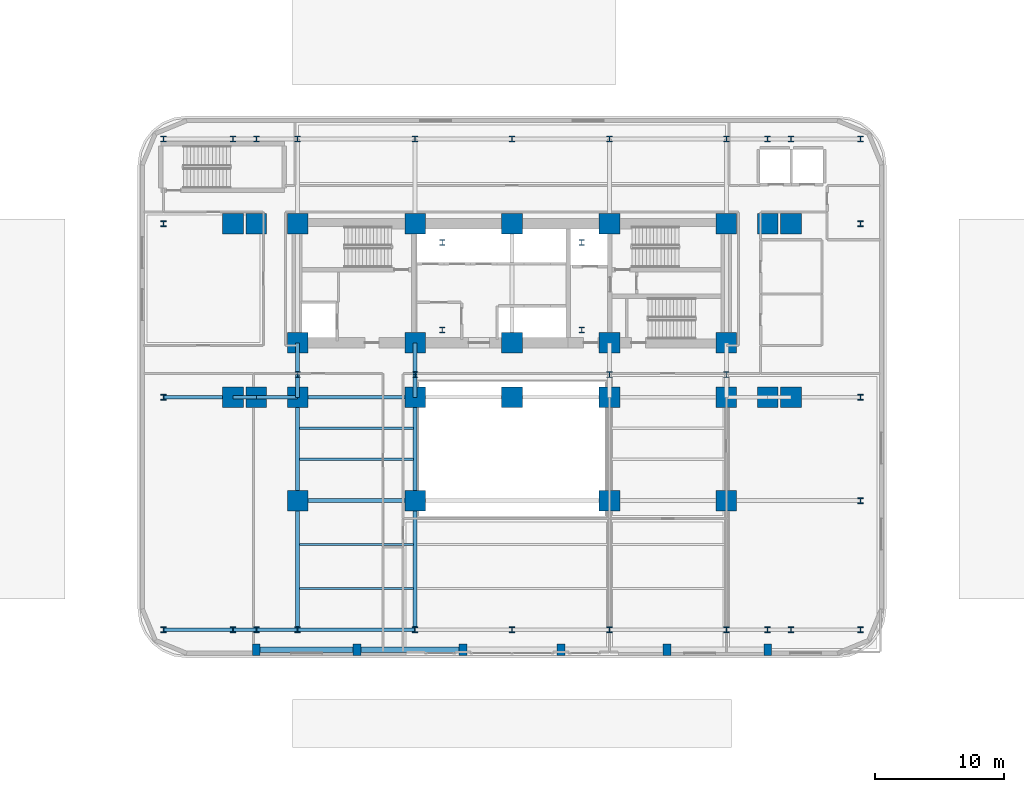
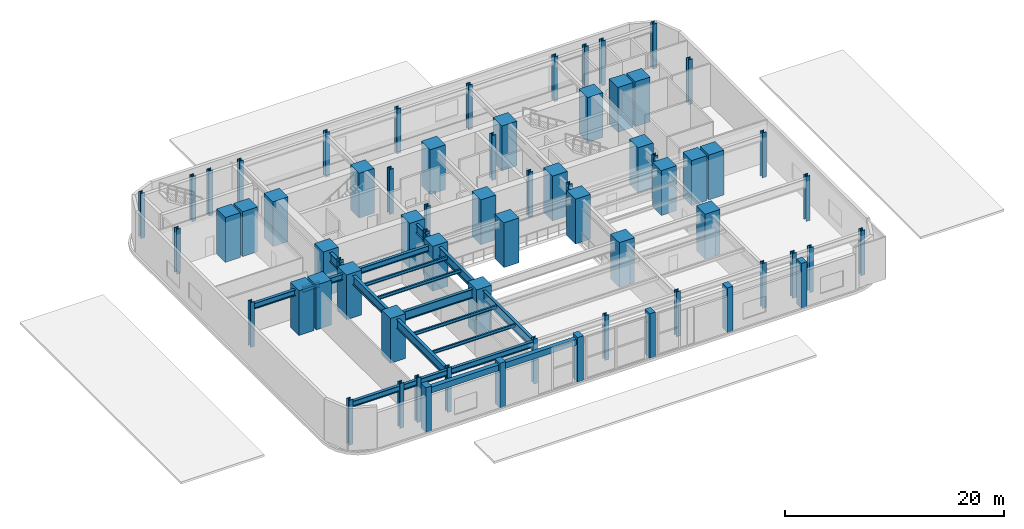
# One storey, part 1 of 12: 68 columns, 23 beams.
"""IFC4 building model written with IfcOpenShell, lengths in metres."""

from ifc_helpers import new_model, si_unit, direction, frame, origin, origin_2d, place, context, subcontext, project, spatial, rectangle, i_section, extrude, material, material_profile, profile_set, type_object, element, save


model = new_model("IFC4")

# Units and contexts
model_context = context("Model", 3, precision=1e-05, world=origin(), true_north=direction((0.0, 1.0)))
body_context = subcontext(model_context, "Body", "Model", "MODEL_VIEW")
ifc_project = project(units=[si_unit("LENGTHUNIT", "METRE"), si_unit("AREAUNIT", "SQUARE_METRE"), si_unit("VOLUMEUNIT", "CUBIC_METRE"), si_unit("PLANEANGLEUNIT", "RADIAN"), si_unit("MASSUNIT", "GRAM", prefix="KILO")], contexts=[model_context])

# Site, building, storey
site_placement = place(None, origin())
site = spatial("IfcSite", under=ifc_project, at=site_placement, CompositionType="ELEMENT")
building_placement = place(site_placement, origin())
building = spatial("IfcBuilding", under=site, at=building_placement, Name="Zarnavel Station Tower", CompositionType="ELEMENT")
storey_placement = place(building_placement, frame((0.0, 0.0, 5.39990234375)))
storey = spatial("IfcBuildingStorey", under=building, at=storey_placement, Name="L02", CompositionType="ELEMENT", Elevation=5.39990234375)

# Columns
ifc_material_1 = material(Name="Steel S460M", Category="steel")
ifc_material_profile_1 = material_profile(ifc_material_1, i_section(OverallWidth=0.424072265625, OverallDepth=0.449951171875, WebThickness=0.041015625, FlangeThickness=0.06494140625, FilletRadius=0.014892578125, at=origin_2d()), Name="HD400x509")
ifc_profile_set_1 = profile_set([ifc_material_profile_1], Name="Steel S460M")
column_type_1 = type_object("IfcColumnType", Name="EC_HD509", PredefinedType="COLUMN", material=ifc_profile_set_1)
for number, where, z_axis, x_axis, name in (
    (1, (1.800048828125, 5.60009765625, 0.0), (0.0, 0.0, 1.0), (1.0, 0.0, 0.0), "L02 Perimeter Column 1-1"),
    (2, (1.800048828125, 23.60009765625, 0.0), (0.0, 0.0, 1.0), (1.0, 0.0, 0.0), "L02 Perimeter Column 1-3"),
    (3, (1.800048828125, 37.050048828125, 0.0), (0.0, 0.0, 1.0), (1.0, 0.0, 0.0), "L02 Perimeter Column 1-4"),
    (4, (1.800048828125, 43.60009765625, 0.0), (0.0, 0.0, 1.0), (1.0, 0.0, 0.0), "L02 Perimeter Column 1-5"),
    (5, (7.199951171875, 5.60009765625, 0.0), (0.0, 0.0, 1.0), (1.0, 0.0, 0.0), "L02 Perimeter Column 2-1"),
    (6, (7.199951171875, 43.60009765625, 0.0), (0.0, 0.0, 1.0), (1.0, 0.0, 0.0), "L02 Perimeter Column 2-5"),
    (7, (9.0, 5.60009765625, 0.0), (0.0, 0.0, 1.0), (1.0, 0.0, 0.0), "L02 Perimeter Column 3-1"),
    (8, (9.0, 43.60009765625, 0.0), (0.0, 0.0, 1.0), (1.0, 0.0, 0.0), "L02 Perimeter Column 3-5"),
    (9, (12.199951171875, 5.60009765625, 0.0), (0.0, 0.0, 1.0), (1.0, 0.0, 0.0), "L02 Perimeter Column 4-1"),
    (10, (12.199951171875, 43.60009765625, 0.0), (0.0, 0.0, 1.0), (1.0, 0.0, 0.0), "L02 Perimeter Column 4-5"),
    (11, (21.300048828125, 5.60009765625, 0.0), (0.0, 0.0, 1.0), (1.0, 0.0, 0.0), "L02 Perimeter Column 5-1"),
    (12, (21.300048828125, 43.60009765625, 0.0), (0.0, 0.0, 1.0), (1.0, 0.0, 0.0), "L02 Perimeter Column 5-5"),
    (13, (28.800048828125, 5.60009765625, 0.0), (0.0, 0.0, 1.0), (1.0, 0.0, 0.0), "L02 Perimeter Column 6-1"),
    (14, (28.800048828125, 43.60009765625, 0.0), (0.0, 0.0, 1.0), (1.0, 0.0, 0.0), "L02 Perimeter Column 6-5"),
    (15, (36.35009765625, 5.60009765625, 0.0), (0.0, 0.0, 1.0), (1.0, 0.0, 0.0), "L02 Perimeter Column 7-1"),
    (16, (36.35009765625, 43.60009765625, 0.0), (0.0, 0.0, 1.0), (1.0, 0.0, 0.0), "L02 Perimeter Column 7-5"),
    (17, (45.39990234375, 5.60009765625, 0.0), (0.0, 0.0, 1.0), (1.0, 0.0, 0.0), "L02 Perimeter Column 8-1"),
    (18, (45.39990234375, 43.60009765625, 0.0), (0.0, 0.0, 1.0), (1.0, 0.0, 0.0), "L02 Perimeter Column 8-5"),
    (19, (48.60009765625, 5.60009765625, 0.0), (0.0, 0.0, 1.0), (1.0, 0.0, 0.0), "L02 Perimeter Column 9-1"),
    (20, (48.60009765625, 43.60009765625, 0.0), (0.0, 0.0, 1.0), (1.0, 0.0, 0.0), "L02 Perimeter Column 9-5"),
    (21, (50.39990234375, 5.60009765625, 0.0), (0.0, 0.0, 1.0), (1.0, 0.0, 0.0), "L02 Perimeter Column 10-1"),
    (22, (50.39990234375, 43.60009765625, 0.0), (0.0, 0.0, 1.0), (1.0, 0.0, 0.0), "L02 Perimeter Column 10-5"),
    (23, (55.800048828125, 5.60009765625, 0.0), (0.0, 0.0, 1.0), (1.0, 0.0, 0.0), "L02 Perimeter Column 11-1"),
    (24, (55.800048828125, 15.60009765625, 0.0), (0.0, 0.0, 1.0), (1.0, 0.0, 0.0), "L02 Perimeter Column 11-2"),
    (25, (55.800048828125, 23.60009765625, 0.0), (0.0, 0.0, 1.0), (1.0, 0.0, 0.0), "L02 Perimeter Column 11-3"),
    (26, (55.800048828125, 37.050048828125, 0.0), (0.0, 0.0, 1.0), (1.0, 0.0, 0.0), "L02 Perimeter Column 11-4"),
    (27, (55.800048828125, 43.60009765625, 0.0), (0.0, 0.0, 1.0), (1.0, 0.0, 0.0), "L02 Perimeter Column 11-5"),
):
    element("IfcColumn", number, at=place(storey_placement, frame(where, z_axis=z_axis, x_axis=x_axis)), inside=storey, type_object=column_type_1, Name=name, PredefinedType="COLUMN", context=body_context, shape_type="SweptSolid", body=[
        extrude(i_section(OverallWidth=0.424072265625, OverallDepth=0.449951171875, WebThickness=0.041015625, FlangeThickness=0.06494140625, FilletRadius=0.014892578125, at=origin_2d()), origin(), (0.0, 0.0, 1.0), 5.0),
    ])
ifc_material_2 = material(Name="Steel S460M", Category="steel")
ifc_material_profile_2 = material_profile(ifc_material_2, i_section(OverallWidth=0.427978515625, OverallDepth=0.465087890625, WebThickness=0.044921875, FlangeThickness=0.072998046875, FilletRadius=0.014892578125, at=origin_2d()), Name="HD400x592")
ifc_profile_set_2 = profile_set([ifc_material_profile_2], Name="Steel S460M")
column_type_2 = type_object("IfcColumnType", Name="IC_HD592", PredefinedType="COLUMN", material=ifc_profile_set_2)
for number, where, z_axis, x_axis, name in (
    (28, (23.39990234375, 28.800048828125, 0.0), (0.0, 0.0, 1.0), (1.0, 0.0, 0.0), "L02 Mast Spine Column 1"),
    (29, (34.199951171875, 28.800048828125, 0.0), (0.0, 0.0, 1.0), (1.0, 0.0, 0.0), "L02 Mast Spine Column 2"),
    (30, (34.199951171875, 35.60009765625, 0.0), (0.0, 0.0, 1.0), (1.0, 0.0, 0.0), "L02 Mast Spine Column 3"),
    (31, (23.39990234375, 35.60009765625, 0.0), (0.0, 0.0, 1.0), (1.0, 0.0, 0.0), "L02 Mast Spine Column 4"),
    (32, (12.199951171875, 25.35009765625, 0.0), (0.0, 0.0, 1.0), (1.0, 0.0, 0.0), "L02 Inner Spine Column 1"),
    (33, (21.300048828125, 25.35009765625, 0.0), (0.0, 0.0, 1.0), (1.0, 0.0, 0.0), "L02 Inner Spine Column 2"),
    (34, (36.35009765625, 25.35009765625, 0.0), (0.0, 0.0, 1.0), (1.0, 0.0, 0.0), "L02 Inner Spine Column 4"),
    (35, (45.39990234375, 25.35009765625, 0.0), (0.0, 0.0, 1.0), (1.0, 0.0, 0.0), "L02 Inner Spine Column 5"),
):
    element("IfcColumn", number, at=place(storey_placement, frame(where, z_axis=z_axis, x_axis=x_axis)), inside=storey, type_object=column_type_2, Name=name, PredefinedType="COLUMN", context=body_context, shape_type="SweptSolid", body=[
        extrude(i_section(OverallWidth=0.427978515625, OverallDepth=0.465087890625, WebThickness=0.044921875, FlangeThickness=0.072998046875, FilletRadius=0.014892578125, at=origin_2d()), origin(), (0.0, 0.0, 1.0), 5.0),
    ])
ifc_material_3 = material(Name="Concrete C60/75", Category="concrete")
ifc_material_profile_3 = material_profile(ifc_material_3, rectangle(XDim=1.60009765625, YDim=1.60009765625, at=origin_2d()), Name="RC1600x1600")
ifc_profile_set_3 = profile_set([ifc_material_profile_3], Name="Concrete C60/75")
column_type_3 = type_object("IfcColumnType", Name="IC_RC1600", PredefinedType="COLUMN", material=ifc_profile_set_3)
for number, where, z_axis, x_axis, name in (
    (36, (12.199951171875, 27.820068359375, 0.0), (0.0, 0.0, 1.0), (1.0, 0.0, 0.0), "L02 Core Spine Column 1-1"),
    (37, (12.199951171875, 37.050048828125, 0.0), (0.0, 0.0, 1.0), (1.0, 0.0, 0.0), "L02 Core Spine Column 1-2"),
    (38, (21.300048828125, 27.820068359375, 0.0), (0.0, 0.0, 1.0), (1.0, 0.0, 0.0), "L02 Core Spine Column 2-1"),
    (39, (21.300048828125, 37.050048828125, 0.0), (0.0, 0.0, 1.0), (1.0, 0.0, 0.0), "L02 Core Spine Column 2-2"),
    (40, (28.800048828125, 27.820068359375, 0.0), (0.0, 0.0, 1.0), (1.0, 0.0, 0.0), "L02 Core Spine Column 3-1"),
    (41, (28.800048828125, 37.050048828125, 0.0), (0.0, 0.0, 1.0), (1.0, 0.0, 0.0), "L02 Core Spine Column 3-2"),
    (42, (36.35009765625, 27.820068359375, 0.0), (0.0, 0.0, 1.0), (1.0, 0.0, 0.0), "L02 Core Spine Column 4-1"),
    (43, (36.35009765625, 37.050048828125, 0.0), (0.0, 0.0, 1.0), (1.0, 0.0, 0.0), "L02 Core Spine Column 4-2"),
    (44, (45.39990234375, 27.820068359375, 0.0), (0.0, 0.0, 1.0), (1.0, 0.0, 0.0), "L02 Core Spine Column 5-1"),
    (45, (45.39990234375, 37.050048828125, 0.0), (0.0, 0.0, 1.0), (1.0, 0.0, 0.0), "L02 Core Spine Column 5-2"),
    (46, (7.199951171875, 23.60009765625, 0.0), (0.0, 0.0, 1.0), (1.0, 0.0, 0.0), "L02 Podium Column 2-3"),
    (47, (7.199951171875, 37.050048828125, 0.0), (0.0, 0.0, 1.0), (1.0, 0.0, 0.0), "L02 Podium Column 2-4"),
    (48, (9.0, 23.60009765625, 0.0), (0.0, 0.0, 1.0), (1.0, 0.0, 0.0), "L02 Podium Column 3-3"),
    (49, (9.0, 37.050048828125, 0.0), (0.0, 0.0, 1.0), (1.0, 0.0, 0.0), "L02 Podium Column 3-4"),
    (50, (12.199951171875, 15.60009765625, 0.0), (0.0, 0.0, 1.0), (1.0, 0.0, 0.0), "L02 Podium Column 4-2"),
    (51, (12.199951171875, 23.60009765625, 0.0), (0.0, 0.0, 1.0), (1.0, 0.0, 0.0), "L02 Podium Column 4-3"),
    (52, (21.300048828125, 15.60009765625, 0.0), (0.0, 0.0, 1.0), (1.0, 0.0, 0.0), "L02 Podium Column 5-2"),
    (53, (21.300048828125, 23.60009765625, 0.0), (0.0, 0.0, 1.0), (1.0, 0.0, 0.0), "L02 Podium Column 5-3"),
    (54, (28.800048828125, 23.60009765625, 0.0), (0.0, 0.0, 1.0), (1.0, 0.0, 0.0), "L02 Podium Column 6-3"),
    (55, (36.35009765625, 15.60009765625, 0.0), (0.0, 0.0, 1.0), (1.0, 0.0, 0.0), "L02 Podium Column 7-2"),
    (56, (36.35009765625, 23.60009765625, 0.0), (0.0, 0.0, 1.0), (1.0, 0.0, 0.0), "L02 Podium Column 7-3"),
    (57, (45.39990234375, 15.60009765625, 0.0), (0.0, 0.0, 1.0), (1.0, 0.0, 0.0), "L02 Podium Column 8-2"),
    (58, (45.39990234375, 23.60009765625, 0.0), (0.0, 0.0, 1.0), (1.0, 0.0, 0.0), "L02 Podium Column 8-3"),
    (59, (48.60009765625, 23.60009765625, 0.0), (0.0, 0.0, 1.0), (1.0, 0.0, 0.0), "L02 Podium Column 9-3"),
    (60, (48.60009765625, 37.050048828125, 0.0), (0.0, 0.0, 1.0), (1.0, 0.0, 0.0), "L02 Podium Column 9-4"),
    (61, (50.39990234375, 23.60009765625, 0.0), (0.0, 0.0, 1.0), (1.0, 0.0, 0.0), "L02 Podium Column 10-3"),
    (62, (50.39990234375, 37.050048828125, 0.0), (0.0, 0.0, 1.0), (1.0, 0.0, 0.0), "L02 Podium Column 10-4"),
):
    element("IfcColumn", number, at=place(storey_placement, frame(where, z_axis=z_axis, x_axis=x_axis)), inside=storey, type_object=column_type_3, Name=name, PredefinedType="COLUMN", context=body_context, shape_type="SweptSolid", body=[
        extrude(rectangle(XDim=1.60009765625, YDim=1.60009765625, at=origin_2d()), origin(), (0.0, 0.0, 1.0), 5.0),
    ])
ifc_material_4 = material(Name="Precast concrete C45/55", Category="concrete")
ifc_material_profile_4 = material_profile(ifc_material_4, rectangle(XDim=0.60009765625, YDim=0.89990234375, at=origin_2d()), Name="RC600x900")
ifc_profile_set_4 = profile_set([ifc_material_profile_4], Name="Precast concrete C45/55")
column_type_4 = type_object("IfcColumnType", Name="PL_BASALT", PredefinedType="PILASTER", material=ifc_profile_set_4)
for number, where, z_axis, x_axis, name in (
    (63, (9.0, 4.050048828125, 0.0), (0.0, 0.0, 1.0), (1.0, 0.0, 0.0), "L02 Basalt Facade Pilaster S1"),
    (64, (16.800048828125, 4.050048828125, 0.0), (0.0, 0.0, 1.0), (1.0, 0.0, 0.0), "L02 Basalt Facade Pilaster S2"),
    (65, (25.0, 4.050048828125, 0.0), (0.0, 0.0, 1.0), (1.0, 0.0, 0.0), "L02 Basalt Facade Pilaster S3"),
    (66, (32.60009765625, 4.050048828125, 0.0), (0.0, 0.0, 1.0), (1.0, 0.0, 0.0), "L02 Basalt Facade Pilaster S4"),
    (67, (40.800048828125, 4.050048828125, 0.0), (0.0, 0.0, 1.0), (1.0, 0.0, 0.0), "L02 Basalt Facade Pilaster S5"),
    (68, (48.60009765625, 4.050048828125, 0.0), (0.0, 0.0, 1.0), (1.0, 0.0, 0.0), "L02 Basalt Facade Pilaster S6"),
):
    element("IfcColumn", number, at=place(storey_placement, frame(where, z_axis=z_axis, x_axis=x_axis)), inside=storey, type_object=column_type_4, Name=name, PredefinedType="PILASTER", context=body_context, shape_type="SweptSolid", body=[
        extrude(rectangle(XDim=0.60009765625, YDim=0.89990234375, at=origin_2d()), origin(), (0.0, 0.0, 1.0), 5.0),
    ])

# Beams
ifc_material_5 = material(Name="Steel S355J2", Category="steel")
ifc_material_profile_5 = material_profile(ifc_material_5, i_section(OverallWidth=0.300048828125, OverallDepth=0.64990234375, WebThickness=0.01611328125, FlangeThickness=0.031005859375, FilletRadius=0.027099609375, at=origin_2d()), Name="HEB650")
ifc_profile_set_5 = profile_set([ifc_material_profile_5], Name="Steel S355J2")
beam_type_1 = type_object("IfcBeamType", Name="FG_HEB650", PredefinedType="USERDEFINED", material=ifc_profile_set_5)
beam_1_placement = place(storey_placement, frame((1.800048828125, 5.60009765625, 4.375), z_axis=(1.0, 0.0, 0.0), x_axis=(0.0, 1.0, 0.0)))
element("IfcBeam", 69, at=beam_1_placement, inside=storey, type_object=beam_type_1, Name="L02 EW Frame Girder 1-1", ObjectType="GIRDER", PredefinedType="USERDEFINED", context=body_context, shape_type="SweptSolid", body=[
    extrude(i_section(OverallWidth=0.300048828125, OverallDepth=0.64990234375, WebThickness=0.01611328125, FlangeThickness=0.031005859375, FilletRadius=0.027099609375, at=origin_2d()), origin(), (0.0, 0.0, 1.0), 5.39990234375),
])
beam_2_placement = place(storey_placement, frame((7.199951171875, 5.60009765625, 4.375), z_axis=(1.0, 0.0, 0.0), x_axis=(0.0, 1.0, 0.0)))
element("IfcBeam", 70, at=beam_2_placement, inside=storey, type_object=beam_type_1, Name="L02 EW Frame Girder 1-2", ObjectType="GIRDER", PredefinedType="USERDEFINED", context=body_context, shape_type="SweptSolid", body=[
    extrude(i_section(OverallWidth=0.300048828125, OverallDepth=0.64990234375, WebThickness=0.01611328125, FlangeThickness=0.031005859375, FilletRadius=0.027099609375, at=origin_2d()), origin(), (0.0, 0.0, 1.0), 1.800048828125),
])
beam_3_placement = place(storey_placement, frame((9.0, 5.60009765625, 4.375), z_axis=(1.0, 0.0, 0.0), x_axis=(0.0, 1.0, 0.0)))
element("IfcBeam", 71, at=beam_3_placement, inside=storey, type_object=beam_type_1, Name="L02 EW Frame Girder 1-3", ObjectType="GIRDER", PredefinedType="USERDEFINED", context=body_context, shape_type="SweptSolid", body=[
    extrude(i_section(OverallWidth=0.300048828125, OverallDepth=0.64990234375, WebThickness=0.01611328125, FlangeThickness=0.031005859375, FilletRadius=0.027099609375, at=origin_2d()), origin(), (0.0, 0.0, 1.0), 3.199951171875),
])
beam_4_placement = place(storey_placement, frame((12.199951171875, 5.60009765625, 4.375), z_axis=(1.0, 0.0, 0.0), x_axis=(0.0, 1.0, 0.0)))
element("IfcBeam", 72, at=beam_4_placement, inside=storey, type_object=beam_type_1, Name="L02 EW Frame Girder 1-4", ObjectType="GIRDER", PredefinedType="USERDEFINED", context=body_context, shape_type="SweptSolid", body=[
    extrude(i_section(OverallWidth=0.300048828125, OverallDepth=0.64990234375, WebThickness=0.01611328125, FlangeThickness=0.031005859375, FilletRadius=0.027099609375, at=origin_2d()), origin(), (0.0, 0.0, 1.0), 9.10009765625),
])
beam_5_placement = place(storey_placement, frame((1.800048828125, 23.60009765625, 4.375), z_axis=(1.0, 0.0, 0.0), x_axis=(0.0, 1.0, 0.0)))
element("IfcBeam", 73, at=beam_5_placement, inside=storey, type_object=beam_type_1, Name="L02 EW Frame Girder 2-1", ObjectType="GIRDER", PredefinedType="USERDEFINED", context=body_context, shape_type="SweptSolid", body=[
    extrude(i_section(OverallWidth=0.300048828125, OverallDepth=0.64990234375, WebThickness=0.01611328125, FlangeThickness=0.031005859375, FilletRadius=0.027099609375, at=origin_2d()), origin(), (0.0, 0.0, 1.0), 5.39990234375),
])
beam_6_placement = place(storey_placement, frame((7.199951171875, 23.60009765625, 4.375), z_axis=(1.0, 0.0, 0.0), x_axis=(0.0, 1.0, 0.0)))
element("IfcBeam", 74, at=beam_6_placement, inside=storey, type_object=beam_type_1, Name="L02 EW Frame Girder 2-2", ObjectType="GIRDER", PredefinedType="USERDEFINED", context=body_context, shape_type="SweptSolid", body=[
    extrude(i_section(OverallWidth=0.300048828125, OverallDepth=0.64990234375, WebThickness=0.01611328125, FlangeThickness=0.031005859375, FilletRadius=0.027099609375, at=origin_2d()), origin(), (0.0, 0.0, 1.0), 1.800048828125),
])
beam_7_placement = place(storey_placement, frame((9.0, 23.60009765625, 4.375), z_axis=(1.0, 0.0, 0.0), x_axis=(0.0, 1.0, 0.0)))
element("IfcBeam", 75, at=beam_7_placement, inside=storey, type_object=beam_type_1, Name="L02 EW Frame Girder 2-3", ObjectType="GIRDER", PredefinedType="USERDEFINED", context=body_context, shape_type="SweptSolid", body=[
    extrude(i_section(OverallWidth=0.300048828125, OverallDepth=0.64990234375, WebThickness=0.01611328125, FlangeThickness=0.031005859375, FilletRadius=0.027099609375, at=origin_2d()), origin(), (0.0, 0.0, 1.0), 3.199951171875),
])
beam_8_placement = place(storey_placement, frame((12.199951171875, 23.60009765625, 4.375), z_axis=(1.0, 0.0, 0.0), x_axis=(0.0, 1.0, 0.0)))
element("IfcBeam", 76, at=beam_8_placement, inside=storey, type_object=beam_type_1, Name="L02 EW Frame Girder 2-4", ObjectType="GIRDER", PredefinedType="USERDEFINED", context=body_context, shape_type="SweptSolid", body=[
    extrude(i_section(OverallWidth=0.300048828125, OverallDepth=0.64990234375, WebThickness=0.01611328125, FlangeThickness=0.031005859375, FilletRadius=0.027099609375, at=origin_2d()), origin(), (0.0, 0.0, 1.0), 9.10009765625),
])
ifc_material_6 = material(Name="Steel S355J2", Category="steel")
ifc_material_profile_6 = material_profile(ifc_material_6, i_section(OverallWidth=0.169921875, OverallDepth=0.360107421875, WebThickness=0.008056640625, FlangeThickness=0.0126953125, FilletRadius=0.01806640625, at=origin_2d()), Name="IPE360")
ifc_profile_set_6 = profile_set([ifc_material_profile_6], Name="Steel S355J2")
beam_type_2 = type_object("IfcBeamType", Name="FJ_IPE360", PredefinedType="JOIST", material=ifc_profile_set_6)
for number, where, z_axis, x_axis, name in (
    (77, (12.344970703125, 8.800048828125, 4.52001953125), (1.0, 0.0, 0.0), (0.0, 1.0, 0.0), "L02 Floor Joist W1"),
    (78, (12.344970703125, 12.199951171875, 4.52001953125), (1.0, 0.0, 0.0), (0.0, 1.0, 0.0), "L02 Floor Joist W2"),
    (79, (12.344970703125, 18.800048828125, 4.52001953125), (1.0, 0.0, 0.0), (0.0, 1.0, 0.0), "L02 West Joist 3"),
    (80, (12.344970703125, 21.199951171875, 4.52001953125), (1.0, 0.0, 0.0), (0.0, 1.0, 0.0), "L02 West Joist 4"),
):
    element("IfcBeam", number, at=place(storey_placement, frame(where, z_axis=z_axis, x_axis=x_axis)), inside=storey, type_object=beam_type_2, Name=name, PredefinedType="JOIST", context=body_context, shape_type="SweptSolid", body=[
        extrude(i_section(OverallWidth=0.169921875, OverallDepth=0.360107421875, WebThickness=0.008056640625, FlangeThickness=0.0126953125, FilletRadius=0.01806640625, at=origin_2d()), origin(), (0.0, 0.0, 1.0), 8.81005859375),
    ])
ifc_material_7 = material(Name="Precast concrete C45/55", Category="concrete")
ifc_material_profile_7 = material_profile(ifc_material_7, rectangle(XDim=0.449951171875, YDim=0.64990234375, at=origin_2d()), Name="RC450x650")
ifc_profile_set_7 = profile_set([ifc_material_profile_7], Name="Precast concrete C45/55")
beam_type_3 = type_object("IfcBeamType", Name="LN_RC450x650", PredefinedType="LINTEL", material=ifc_profile_set_7)
beam_9_placement = place(storey_placement, frame((9.0, 4.050048828125, 4.375), z_axis=(1.0, 0.0, 0.0), x_axis=(0.0, 1.0, 0.0)))
element("IfcBeam", 81, at=beam_9_placement, inside=storey, type_object=beam_type_3, Name="L02 Portal Arcade Lintel 1", PredefinedType="LINTEL", context=body_context, shape_type="SweptSolid", body=[
    extrude(rectangle(XDim=0.449951171875, YDim=0.64990234375, at=origin_2d()), origin(), (0.0, 0.0, 1.0), 7.800048828125),
])
beam_10_placement = place(storey_placement, frame((16.800048828125, 4.050048828125, 4.375), z_axis=(1.0, 0.0, 0.0), x_axis=(0.0, 1.0, 0.0)))
element("IfcBeam", 82, at=beam_10_placement, inside=storey, type_object=beam_type_3, Name="L02 Portal Arcade Lintel 2", PredefinedType="LINTEL", context=body_context, shape_type="SweptSolid", body=[
    extrude(rectangle(XDim=0.449951171875, YDim=0.64990234375, at=origin_2d()), origin(), (0.0, 0.0, 1.0), 8.199951171875),
])
ifc_material_8 = material(Name="Steel S460M", Category="steel")
ifc_material_profile_8 = material_profile(ifc_material_8, i_section(OverallWidth=0.302001953125, OverallDepth=1.008056640625, WebThickness=0.02099609375, FlangeThickness=0.0400390625, FilletRadius=0.030029296875, at=origin_2d()), Name="HEM1000")
ifc_profile_set_8 = profile_set([ifc_material_profile_8], Name="Steel S460M")
beam_type_4 = type_object("IfcBeamType", Name="TG_HEM1000", PredefinedType="USERDEFINED", material=ifc_profile_set_8)
beam_11_placement = place(storey_placement, frame((12.199951171875, 5.60009765625, 4.196044921875), z_axis=(0.0, 1.0, 0.0), x_axis=(-1.0, 0.0, 0.0)))
element("IfcBeam", 83, at=beam_11_placement, inside=storey, type_object=beam_type_4, Name="L02 NS Girder South 1", ObjectType="GIRDER", PredefinedType="USERDEFINED", context=body_context, shape_type="SweptSolid", body=[
    extrude(i_section(OverallWidth=0.302001953125, OverallDepth=1.008056640625, WebThickness=0.02099609375, FlangeThickness=0.0400390625, FilletRadius=0.030029296875, at=origin_2d()), origin(), (0.0, 0.0, 1.0), 10.0),
])
beam_12_placement = place(storey_placement, frame((12.199951171875, 15.60009765625, 4.196044921875), z_axis=(0.0, 1.0, 0.0), x_axis=(-1.0, 0.0, 0.0)))
element("IfcBeam", 84, at=beam_12_placement, inside=storey, type_object=beam_type_4, Name="L02 NS Girder Mid 1", ObjectType="GIRDER", PredefinedType="USERDEFINED", context=body_context, shape_type="SweptSolid", body=[
    extrude(i_section(OverallWidth=0.302001953125, OverallDepth=1.008056640625, WebThickness=0.02099609375, FlangeThickness=0.0400390625, FilletRadius=0.030029296875, at=origin_2d()), origin(), (0.0, 0.0, 1.0), 8.0),
])
beam_13_placement = place(storey_placement, frame((12.199951171875, 23.60009765625, 4.196044921875), z_axis=(0.0, 1.0, 0.0), x_axis=(-1.0, 0.0, 0.0)))
element("IfcBeam", 85, at=beam_13_placement, inside=storey, type_object=beam_type_4, Name="L02 NS Girder Spine 1", ObjectType="GIRDER", PredefinedType="USERDEFINED", context=body_context, shape_type="SweptSolid", body=[
    extrude(i_section(OverallWidth=0.302001953125, OverallDepth=1.008056640625, WebThickness=0.02099609375, FlangeThickness=0.0400390625, FilletRadius=0.030029296875, at=origin_2d()), origin(), (0.0, 0.0, 1.0), 1.75),
])
beam_14_placement = place(storey_placement, frame((12.199951171875, 25.35009765625, 4.196044921875), z_axis=(0.0, 1.0, 0.0), x_axis=(-1.0, 0.0, 0.0)))
element("IfcBeam", 86, at=beam_14_placement, inside=storey, type_object=beam_type_4, Name="L02 NS Girder Core 1", ObjectType="GIRDER", PredefinedType="USERDEFINED", context=body_context, shape_type="SweptSolid", body=[
    extrude(i_section(OverallWidth=0.302001953125, OverallDepth=1.008056640625, WebThickness=0.02099609375, FlangeThickness=0.0400390625, FilletRadius=0.030029296875, at=origin_2d()), origin(), (0.0, 0.0, 1.0), 2.469970703125),
])
beam_15_placement = place(storey_placement, frame((21.300048828125, 5.60009765625, 4.196044921875), z_axis=(0.0, 1.0, 0.0), x_axis=(-1.0, 0.0, 0.0)))
element("IfcBeam", 87, at=beam_15_placement, inside=storey, type_object=beam_type_4, Name="L02 NS Girder South 2", ObjectType="GIRDER", PredefinedType="USERDEFINED", context=body_context, shape_type="SweptSolid", body=[
    extrude(i_section(OverallWidth=0.302001953125, OverallDepth=1.008056640625, WebThickness=0.02099609375, FlangeThickness=0.0400390625, FilletRadius=0.030029296875, at=origin_2d()), origin(), (0.0, 0.0, 1.0), 10.0),
])
beam_16_placement = place(storey_placement, frame((21.300048828125, 15.60009765625, 4.196044921875), z_axis=(0.0, 1.0, 0.0), x_axis=(-1.0, 0.0, 0.0)))
element("IfcBeam", 88, at=beam_16_placement, inside=storey, type_object=beam_type_4, Name="L02 NS Girder Mid 2", ObjectType="GIRDER", PredefinedType="USERDEFINED", context=body_context, shape_type="SweptSolid", body=[
    extrude(i_section(OverallWidth=0.302001953125, OverallDepth=1.008056640625, WebThickness=0.02099609375, FlangeThickness=0.0400390625, FilletRadius=0.030029296875, at=origin_2d()), origin(), (0.0, 0.0, 1.0), 8.0),
])
beam_17_placement = place(storey_placement, frame((21.300048828125, 23.60009765625, 4.196044921875), z_axis=(0.0, 1.0, 0.0), x_axis=(-1.0, 0.0, 0.0)))
element("IfcBeam", 89, at=beam_17_placement, inside=storey, type_object=beam_type_4, Name="L02 NS Girder Spine 2", ObjectType="GIRDER", PredefinedType="USERDEFINED", context=body_context, shape_type="SweptSolid", body=[
    extrude(i_section(OverallWidth=0.302001953125, OverallDepth=1.008056640625, WebThickness=0.02099609375, FlangeThickness=0.0400390625, FilletRadius=0.030029296875, at=origin_2d()), origin(), (0.0, 0.0, 1.0), 1.75),
])
beam_18_placement = place(storey_placement, frame((21.300048828125, 25.35009765625, 4.196044921875), z_axis=(0.0, 1.0, 0.0), x_axis=(-1.0, 0.0, 0.0)))
element("IfcBeam", 90, at=beam_18_placement, inside=storey, type_object=beam_type_4, Name="L02 NS Girder Core 2", ObjectType="GIRDER", PredefinedType="USERDEFINED", context=body_context, shape_type="SweptSolid", body=[
    extrude(i_section(OverallWidth=0.302001953125, OverallDepth=1.008056640625, WebThickness=0.02099609375, FlangeThickness=0.0400390625, FilletRadius=0.030029296875, at=origin_2d()), origin(), (0.0, 0.0, 1.0), 2.469970703125),
])
beam_19_placement = place(storey_placement, frame((12.199951171875, 15.60009765625, 4.196044921875), z_axis=(1.0, 0.0, 0.0), x_axis=(0.0, 1.0, 0.0)))
element("IfcBeam", 91, at=beam_19_placement, inside=storey, type_object=beam_type_4, Name="L02 West Hall Girder", ObjectType="GIRDER", PredefinedType="USERDEFINED", context=body_context, shape_type="SweptSolid", body=[
    extrude(i_section(OverallWidth=0.302001953125, OverallDepth=1.008056640625, WebThickness=0.02099609375, FlangeThickness=0.0400390625, FilletRadius=0.030029296875, at=origin_2d()), origin(), (0.0, 0.0, 1.0), 9.10009765625),
])

save(model, "model.ifc")
